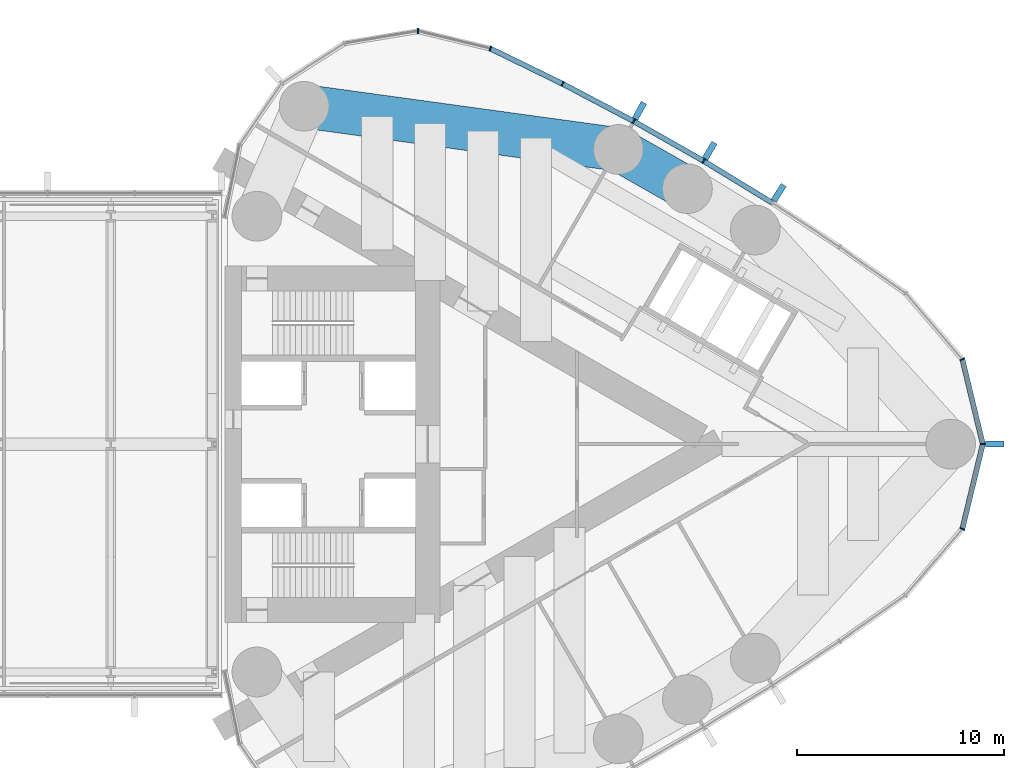
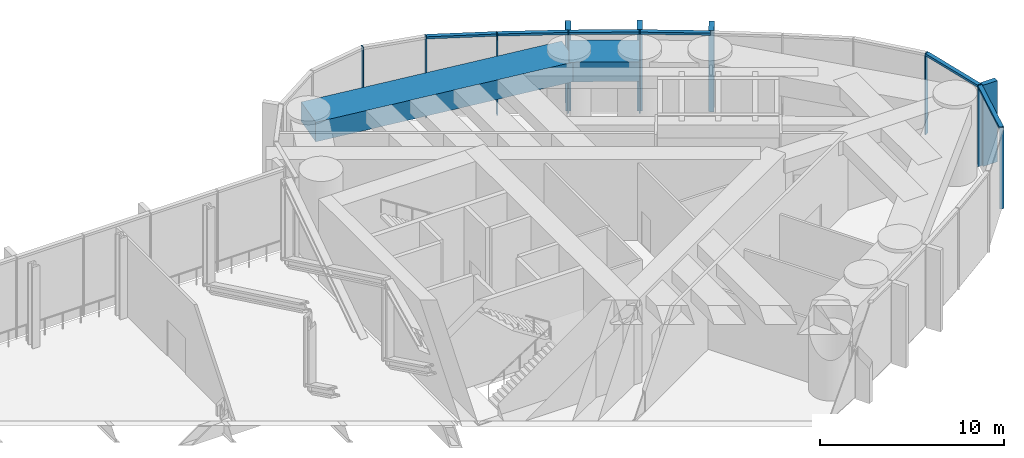
# One storey, part 12 of 21: 18 members, 2 beams, 1 element without a shape of its own.
"""IFC4 building model written with IfcOpenShell, lengths in metres."""

import ifcopenshell
import ifcopenshell.guid

model = None  # the IFC model being written
_history = None  # IfcOwnerHistory: only IFC2X3 demands one
_inside = {}  # id of a spatial element -> (the spatial element, [elements in it])
_under = {}  # id of a project, library or spatial element -> (it, [spatial elements below it])
_declared = {}  # id of a project -> (the project, [libraries it declares])
_typed = {}  # id of a type object -> (the type object, [elements of that type])
_made_of = {}  # id of a material, layer set ... -> (it, [elements and type objects made of it])


def new_model(schema):
    """Start an empty IFC model of exactly this schema.

    Asked for "IFC4X3", IfcOpenShell would pick the latest addendum, in which some entities
    have other attributes; the version numbers below select the first issue.
    IFC2X3 requires an IfcOwnerHistory on every rooted entity: one is made here for all.
    """
    global model, _history
    if schema == "IFC4X3":
        model = ifcopenshell.file(schema_version=(4, 3, 0, 0))
    else:
        model = ifcopenshell.file(schema=schema)
    _inside.clear()
    _under.clear()
    _declared.clear()
    _typed.clear()
    _made_of.clear()
    _history = None
    if model.schema == "IFC2X3":
        org = make("IfcOrganization", Name="unknown")
        user = make(
            "IfcPersonAndOrganization",
            ThePerson=make("IfcPerson", FamilyName="unknown"),
            TheOrganization=org,
        )
        app = make(
            "IfcApplication",
            ApplicationDeveloper=org,
            Version="unknown",
            ApplicationFullName="unknown",
            ApplicationIdentifier="unknown",
        )
        _history = make(
            "IfcOwnerHistory",
            OwningUser=user,
            OwningApplication=app,
            ChangeAction="ADDED",
            CreationDate=0,
        )
    return model


def make(cls, **values):
    """One entity of the class cls with the attributes given. An attribute that is None is left unset."""
    return model.create_entity(
        cls, **{name: value for name, value in values.items() if value is not None}
    )


def rooted(cls, **values):
    """An entity with a GlobalId (a new one), such as an element, a storey or a relation."""
    return make(cls, GlobalId=ifcopenshell.guid.new(), OwnerHistory=_history, **values)


def si_unit(unit_type, name, prefix=None):
    """IfcSIUnit, for example si_unit("LENGTHUNIT", "METRE", prefix="MILLI")."""
    return make("IfcSIUnit", UnitType=unit_type, Prefix=prefix, Name=name)


def assignment(units):
    """IfcUnitAssignment: the units of a project."""
    return None if units is None else make("IfcUnitAssignment", Units=units)


def point(xyz):
    """IfcCartesianPoint."""
    return None if xyz is None else make("IfcCartesianPoint", Coordinates=xyz)


def direction(xyz):
    """IfcDirection."""
    return None if xyz is None else make("IfcDirection", DirectionRatios=xyz)


def frame(location, z_axis=None, x_axis=None):
    """IfcAxis2Placement3D, a coordinate frame: its origin and axes. An axis left out is left unset."""
    return make(
        "IfcAxis2Placement3D",
        Location=point(location),
        Axis=direction(z_axis),
        RefDirection=direction(x_axis),
    )


def frame_2d(location, x_axis=None):
    """IfcAxis2Placement2D, a coordinate frame in the plane: its origin and x axis."""
    return make(
        "IfcAxis2Placement2D", Location=point(location), RefDirection=direction(x_axis)
    )


def origin():
    """The frame at (0, 0, 0) with its axes left unset."""
    return frame((0.0, 0.0, 0.0))


def origin_2d():
    """The frame at (0, 0) in the plane with its x axis left unset."""
    return frame_2d((0.0, 0.0))


def place(relative_to, where):
    """IfcLocalPlacement: puts the frame where relative to a parent placement (None: the world)."""
    return make(
        "IfcLocalPlacement", PlacementRelTo=relative_to, RelativePlacement=where
    )


def context(
    kind, dimensions, precision=None, world=None, true_north=None, identifier=None
):
    """IfcGeometricRepresentationContext, for example the 3D "Model" context."""
    return make(
        "IfcGeometricRepresentationContext",
        ContextIdentifier=identifier,
        ContextType=kind,
        CoordinateSpaceDimension=dimensions,
        Precision=precision,
        WorldCoordinateSystem=world,
        TrueNorth=true_north,
    )


def subcontext(parent, identifier, kind, view, scale=None):
    """IfcGeometricRepresentationSubContext, for example "Body" below "Model"."""
    return make(
        "IfcGeometricRepresentationSubContext",
        ContextIdentifier=identifier,
        ContextType=kind,
        ParentContext=parent,
        TargetScale=scale,
        TargetView=view,
    )


def project(units=None, contexts=None):
    """IfcProject with its units and contexts."""
    return rooted(
        "IfcProject",
        Name="project",
        RepresentationContexts=contexts,
        UnitsInContext=assignment(units),
    )


def spatial(cls, under=None, at=None, **own):
    """A site, building, storey or space (cls), placed at a placement, below another one or the project."""
    s = rooted(cls, ObjectPlacement=at, **own)
    if under is not None:
        _under.setdefault(under.id(), (under, []))[1].append(s)
    return s


def profile(cls, at=None, kind="AREA", **sizes):
    """A parametric profile (cls). Its sizes go by their IFC names, for example OverallWidth=200.0."""
    return make(cls, ProfileType=kind, Position=at, **sizes)


def rectangle(**sizes):
    """IfcRectangleProfileDef."""
    return profile("IfcRectangleProfileDef", **sizes)


def extrude(swept, where, along, depth):
    """IfcExtrudedAreaSolid: the profile swept, set in the frame where, extruded along a direction by depth."""
    return make(
        "IfcExtrudedAreaSolid",
        SweptArea=swept,
        Position=where,
        ExtrudedDirection=direction(along),
        Depth=depth,
    )


def shape(context_of_items, identifier, shape_type, items):
    """IfcShapeRepresentation: the items that make up one representation, for example the "Body"."""
    return make(
        "IfcShapeRepresentation",
        ContextOfItems=context_of_items,
        RepresentationIdentifier=identifier,
        RepresentationType=shape_type,
        Items=items,
    )


def material(Name=None, Category=None):
    """IfcMaterial."""
    return make("IfcMaterial", Name=Name, Category=Category)


def material_profile(
    of_material, cross_section, Name=None, Category=None, Priority=None
):
    """IfcMaterialProfile: a cross section and its material."""
    return make(
        "IfcMaterialProfile",
        Name=Name,
        Material=of_material,
        Profile=cross_section,
        Priority=Priority,
        Category=Category,
    )


def profile_set(profiles, Name=None, composite=None):
    """IfcMaterialProfileSet."""
    return make(
        "IfcMaterialProfileSet",
        Name=Name,
        MaterialProfiles=profiles,
        CompositeProfile=composite,
    )


def made_of(thing, what):
    """Note that an element or type object is made of a material, layer set ...; save() writes the relation."""
    if what is not None:
        _made_of.setdefault(what.id(), (what, []))[1].append(thing)
    return thing


def type_object(cls, material=None, **own):
    """A type object (cls), such as IfcWallType, which elements share."""
    return made_of(rooted(cls, **own), material)


def element(
    cls,
    number,
    at=None,
    inside=None,
    cuts=None,
    type_object=None,
    material=None,
    context=None,
    identifier="Body",
    shape_type=None,
    held_by="IfcProductDefinitionShape",
    body=None,
    shapes=None,
    **own,
):
    """One element of the class cls, such as IfcWall. Its Tag is "e" and its number.

    at: its placement. inside: the storey or other place that contains it. cuts: it is an
    opening in that element (IfcRelVoidsElement). A single representation is given by context,
    identifier, shape_type and body (its items); several are given by shapes. held_by: the class
    of the entity that holds the representations. save() writes the other relations.
    """
    e = rooted(cls, Tag="e%d" % number, ObjectPlacement=at, **own)
    if body is not None:
        shapes = [shape(context, identifier, shape_type, body)]
    if shapes is not None:
        e.Representation = make(held_by, Representations=shapes)
    if inside is not None:
        _inside.setdefault(inside.id(), (inside, []))[1].append(e)
    if cuts is not None:
        rooted(
            "IfcRelVoidsElement", RelatingBuildingElement=cuts, RelatedOpeningElement=e
        )
    if type_object is not None:
        _typed.setdefault(type_object.id(), (type_object, []))[1].append(e)
    return made_of(e, material)


def aggregate(whole, parts):
    """IfcRelAggregates: a whole, such as a stair, and the parts it consists of."""
    return rooted("IfcRelAggregates", RelatingObject=whole, RelatedObjects=parts)


def save(model, path):
    """Write the relations noted so far, then the file.

    IfcRelAggregates (storeys below a building ...), IfcRelContainedInSpatialStructure (elements
    in a storey), IfcRelDefinesByType, IfcRelAssociatesMaterial and IfcRelDeclares: one each for
    every whole, place, type object, material and project.
    """
    for whole, parts in _under.values():
        aggregate(whole, parts)
    for where, things in _inside.values():
        rooted(
            "IfcRelContainedInSpatialStructure",
            RelatedElements=things,
            RelatingStructure=where,
        )
    for kind, things in _typed.values():
        rooted("IfcRelDefinesByType", RelatedObjects=things, RelatingType=kind)
    for what, things in _made_of.values():
        rooted("IfcRelAssociatesMaterial", RelatedObjects=things, RelatingMaterial=what)
    for by, libraries in _declared.values():
        rooted("IfcRelDeclares", RelatingContext=by, RelatedDefinitions=libraries)
    model.write(path)


model = new_model("IFC4")

# Units and contexts
model_context = context("Model", 3, precision=1e-05, world=origin(), true_north=direction((0.0, 1.0)))
body_context = subcontext(model_context, "Body", "Model", "MODEL_VIEW")
ifc_project = project(units=[si_unit("LENGTHUNIT", "METRE"), si_unit("AREAUNIT", "SQUARE_METRE"), si_unit("VOLUMEUNIT", "CUBIC_METRE"), si_unit("PLANEANGLEUNIT", "RADIAN"), si_unit("MASSUNIT", "GRAM", prefix="KILO")], contexts=[model_context])

# Site, building, storey
site_placement = place(None, origin())
site = spatial("IfcSite", under=ifc_project, at=site_placement, CompositionType="ELEMENT")
building_placement = place(site_placement, origin())
building = spatial("IfcBuilding", under=site, at=building_placement, Name="Lancet Gate Hotel", CompositionType="ELEMENT")
storey_placement = place(building_placement, frame((0.0, 0.0, 251.89990234375)))
storey = spatial("IfcBuildingStorey", under=building, at=storey_placement, Name="L67", CompositionType="ELEMENT", Elevation=251.89990234375)

# Curtain wall, members
ifc_material_1 = material(Name="Aluminium curtain wall", Category="aluminium")
curtain_wall_type = type_object("IfcCurtainWallType", Name="Sky deck full-height glazing", PredefinedType="USERDEFINED", material=ifc_material_1)
curtain_wall_placement = place(storey_placement, origin())
curtain_wall = element("IfcCurtainWall", 1, at=curtain_wall_placement, inside=storey, type_object=curtain_wall_type, Name="T2 L67 curtain wall 1", ObjectType="UNITISED CURTAIN WALL", PredefinedType="USERDEFINED")
ifc_material_2 = material(Name="Aluminium mullion", Category="aluminium")
ifc_material_profile_1 = material_profile(ifc_material_2, rectangle(XDim=0.06494140625, YDim=0.25, at=origin_2d()), Name="MULLION 65x250")
ifc_profile_set_1 = profile_set([ifc_material_profile_1], Name="Aluminium mullion")
member_type_1 = type_object("IfcMemberType", Name="Aluminium mullion 65x250", PredefinedType="MULLION", material=ifc_profile_set_1)
member_1_placement = place(storey_placement, frame((63.1064453125, -4.09375, 0.0), z_axis=(0.0, 0.0, 1.0), x_axis=(0.454852851296, 0.890566608215, 0.0)))
member_1 = element("IfcMember", 2, at=member_1_placement, type_object=member_type_1, Name="T2 L67 curtain wall 1 mullion 13", PredefinedType="MULLION", context=body_context, shape_type="SweptSolid", body=[
    extrude(rectangle(XDim=0.06494140625, YDim=0.25, at=origin_2d()), origin(), (0.0, 0.0, 1.0), 5.400146484375),
])
member_2_placement = place(storey_placement, frame((64.09130859375, 0.0, 0.0), z_axis=(0.0, 0.0, 1.0), x_axis=(0.0, 1.0, 0.0)))
member_2 = element("IfcMember", 3, at=member_2_placement, type_object=member_type_1, Name="T2 L67 curtain wall 1 mullion 14", PredefinedType="MULLION", context=body_context, shape_type="SweptSolid", body=[
    extrude(rectangle(XDim=0.06494140625, YDim=0.25, at=origin_2d()), origin(), (0.0, 0.0, 1.0), 5.400146484375),
])
member_3_placement = place(storey_placement, frame((63.1064453125, 4.09375, 0.0), z_axis=(0.0, 0.0, 1.0), x_axis=(-0.454852851296, 0.890566608215, 0.0)))
member_3 = element("IfcMember", 4, at=member_3_placement, type_object=member_type_1, Name="T2 L67 curtain wall 1 mullion 15", PredefinedType="MULLION", context=body_context, shape_type="SweptSolid", body=[
    extrude(rectangle(XDim=0.06494140625, YDim=0.25, at=origin_2d()), origin(), (0.0, 0.0, 1.0), 5.400146484375),
])
member_4_placement = place(storey_placement, frame((50.62060546875, 13.667236328125, 0.0), z_axis=(0.0, 0.0, 1.0), x_axis=(-0.861691755738, 0.507432082247, 0.0)))
member_4 = element("IfcMember", 5, at=member_4_placement, type_object=member_type_1, Name="T2 L67 curtain wall 1 mullion 19", PredefinedType="MULLION", context=body_context, shape_type="SweptSolid", body=[
    extrude(rectangle(XDim=0.06494140625, YDim=0.25, at=origin_2d()), origin(), (0.0, 0.0, 1.0), 5.400146484375),
])
member_5_placement = place(storey_placement, frame((47.24365234375, 15.585205078125, 0.0), z_axis=(0.0, 0.0, 1.0), x_axis=(-0.877194589488, 0.480135035352, 0.0)))
member_5 = element("IfcMember", 6, at=member_5_placement, type_object=member_type_1, Name="T2 L67 curtain wall 1 mullion 20", PredefinedType="MULLION", context=body_context, shape_type="SweptSolid", body=[
    extrude(rectangle(XDim=0.06494140625, YDim=0.25, at=origin_2d()), origin(), (0.0, 0.0, 1.0), 5.400146484375),
])
member_6_placement = place(storey_placement, frame((43.80810546875, 17.396240234375, 0.0), z_axis=(0.0, 0.0, 1.0), x_axis=(-0.891832977257, 0.452364831389, 0.0)))
member_6 = element("IfcMember", 7, at=member_6_placement, type_object=member_type_1, Name="T2 L67 curtain wall 1 mullion 21", PredefinedType="MULLION", context=body_context, shape_type="SweptSolid", body=[
    extrude(rectangle(XDim=0.06494140625, YDim=0.25, at=origin_2d()), origin(), (0.0, 0.0, 1.0), 5.400146484375),
])
member_7_placement = place(storey_placement, frame((40.3173828125, 19.098388671875, 0.0), z_axis=(0.0, 0.0, 1.0), x_axis=(-0.939483740419, 0.342593493061, 0.0)))
member_7 = element("IfcMember", 8, at=member_7_placement, type_object=member_type_1, Name="T2 L67 curtain wall 1 mullion 22", PredefinedType="MULLION", context=body_context, shape_type="SweptSolid", body=[
    extrude(rectangle(XDim=0.06494140625, YDim=0.25, at=origin_2d()), origin(), (0.0, 0.0, 1.0), 5.400146484375),
])
member_8_placement = place(storey_placement, frame((36.826171875, 19.942138671875, 0.0), z_axis=(0.0, 0.0, 1.0), x_axis=(-0.999342744911, 0.03625021647, 0.0)))
member_8 = element("IfcMember", 9, at=member_8_placement, type_object=member_type_1, Name="T2 L67 curtain wall 1 mullion 23", PredefinedType="MULLION", context=body_context, shape_type="SweptSolid", body=[
    extrude(rectangle(XDim=0.06494140625, YDim=0.25, at=origin_2d()), origin(), (0.0, 0.0, 1.0), 5.400146484375),
])
ifc_material_3 = material(Name="Aluminium transom", Category="aluminium")
ifc_material_profile_2 = material_profile(ifc_material_3, rectangle(XDim=0.25, YDim=0.14990234375, at=origin_2d()), Name="TRANSOM 250x150")
ifc_profile_set_2 = profile_set([ifc_material_profile_2], Name="Aluminium transom")
member_type_2 = type_object("IfcMemberType", Name="Aluminium transom 250x150", PredefinedType="USERDEFINED", material=ifc_profile_set_2)
member_9_placement = place(storey_placement, frame((63.114013671875, -4.06201171875, 5.3251953125), z_axis=(0.233920855872, 0.972255641891, 0.0), x_axis=(-0.972255641891, 0.233920855872, 0.0)))
member_9 = element("IfcMember", 10, at=member_9_placement, type_object=member_type_2, Name="T2 L67 curtain wall 1 transom 13", ObjectType="TRANSOM", PredefinedType="USERDEFINED", context=body_context, shape_type="SweptSolid", body=[
    extrude(rectangle(XDim=0.25, YDim=0.14990234375, at=origin_2d()), origin(), (0.0, 0.0, 1.0), 4.1455078125),
])
member_10_placement = place(storey_placement, frame((64.083740234375, 0.031494140625, 5.3251953125), z_axis=(-0.233920855872, 0.972255641891, 0.0), x_axis=(-0.972255641891, -0.233920855872, 0.0)))
member_10 = element("IfcMember", 11, at=member_10_placement, type_object=member_type_2, Name="T2 L67 curtain wall 1 transom 14", ObjectType="TRANSOM", PredefinedType="USERDEFINED", context=body_context, shape_type="SweptSolid", body=[
    extrude(rectangle(XDim=0.25, YDim=0.14990234375, at=origin_2d()), origin(), (0.0, 0.0, 1.0), 4.1455078125),
])
member_11_placement = place(storey_placement, frame((53.907958984375, 11.661376953125, 5.3251953125), z_axis=(-0.853638798527, 0.520865435261, 0.0), x_axis=(-0.520865435261, -0.853638798527, 0.0)))
member_11 = element("IfcMember", 12, at=member_11_placement, type_object=member_type_2, Name="T2 L67 curtain wall 1 transom 18", ObjectType="TRANSOM", PredefinedType="USERDEFINED", context=body_context, shape_type="SweptSolid", body=[
    extrude(rectangle(XDim=0.25, YDim=0.14990234375, at=origin_2d()), origin(), (0.0, 0.0, 1.0), 3.818603515625),
])
member_12_placement = place(storey_placement, frame((50.59228515625, 13.683349609375, 5.3251953125), z_axis=(-0.869562011924, 0.493823761496, 0.0), x_axis=(-0.493823761496, -0.869562011924, 0.0)))
member_12 = element("IfcMember", 13, at=member_12_placement, type_object=member_type_2, Name="T2 L67 curtain wall 1 transom 19", ObjectType="TRANSOM", PredefinedType="USERDEFINED", context=body_context, shape_type="SweptSolid", body=[
    extrude(rectangle(XDim=0.25, YDim=0.14990234375, at=origin_2d()), origin(), (0.0, 0.0, 1.0), 3.818603515625),
])
member_13_placement = place(storey_placement, frame((47.21484375, 15.600341796875, 5.3251953125), z_axis=(-0.884618491031, 0.466315478325, 0.0), x_axis=(-0.466315478325, -0.884618491031, 0.0)))
member_13 = element("IfcMember", 14, at=member_13_placement, type_object=member_type_2, Name="T2 L67 curtain wall 1 transom 20", ObjectType="TRANSOM", PredefinedType="USERDEFINED", context=body_context, shape_type="SweptSolid", body=[
    extrude(rectangle(XDim=0.25, YDim=0.14990234375, at=origin_2d()), origin(), (0.0, 0.0, 1.0), 3.81884765625),
])
member_14_placement = place(storey_placement, frame((43.77880859375, 17.410400390625, 5.3251953125), z_axis=(-0.898820051991, 0.438317823206, 0.0), x_axis=(-0.438317823206, -0.898820051991, 0.0)))
member_14 = element("IfcMember", 15, at=member_14_placement, type_object=member_type_2, Name="T2 L67 curtain wall 1 transom 21", ObjectType="TRANSOM", PredefinedType="USERDEFINED", context=body_context, shape_type="SweptSolid", body=[
    extrude(rectangle(XDim=0.25, YDim=0.14990234375, at=origin_2d()), origin(), (0.0, 0.0, 1.0), 3.81884765625),
])

# Beams
ifc_material_4 = material(Name="Concrete C50/60", Category="concrete")
ifc_material_profile_3 = material_profile(ifc_material_4, rectangle(XDim=2.10009765625, YDim=1.300048828125, at=origin_2d()), Name="RC 2100x1300")
ifc_profile_set_3 = profile_set([ifc_material_profile_3], Name="Concrete C50/60")
beam_type = type_object("IfcBeamType", Name="Edge beam RC 2100x1300", PredefinedType="SPANDREL", material=ifc_profile_set_3)
beam_1_placement = place(storey_placement, frame((49.833984375, 12.331787109375, 4.5), z_axis=(-0.869560321562, 0.493826738001, 0.0), x_axis=(-0.493826738001, -0.869560321562, 0.0)))
element("IfcBeam", 16, at=beam_1_placement, inside=storey, type_object=beam_type, Name="T2 edge beam EB1 L67", PredefinedType="SPANDREL", context=body_context, shape_type="SweptSolid", body=[
    extrude(rectangle(XDim=2.10009765625, YDim=1.300048828125, at=origin_2d()), origin(), (0.0, 0.0, 1.0), 3.8349609375),
])
beam_2_placement = place(storey_placement, frame((46.499267578125, 14.2255859375, 4.5), z_axis=(-0.990685830783, 0.13616748762, 0.0), x_axis=(-0.13616748762, -0.990685830783, 0.0)))
element("IfcBeam", 17, at=beam_2_placement, inside=storey, type_object=beam_type, Name="T2 edge beam EB1 L67", PredefinedType="SPANDREL", context=body_context, shape_type="SweptSolid", body=[
    extrude(rectangle(XDim=2.10009765625, YDim=1.300048828125, at=origin_2d()), origin(), (0.0, 0.0, 1.0), 15.3134765625),
])

# Member
ifc_material_5 = material(Name="Precast concrete C50/60", Category="concrete")
ifc_material_profile_4 = material_profile(ifc_material_5, rectangle(XDim=0.300048828125, YDim=0.89990234375, at=origin_2d()), Name="FIN 300x900")
ifc_profile_set_4 = profile_set([ifc_material_profile_4], Name="Precast concrete C50/60")
member_type_3 = type_object("IfcMemberType", Name="Exposed concrete fin 300x900", PredefinedType="USERDEFINED", material=ifc_profile_set_4)
member_15_placement = place(storey_placement, frame((64.66650390625, 0.0, 0.0), z_axis=(0.0, 0.0, 1.0), x_axis=(0.0, 1.0, 0.0)))
member_15 = element("IfcMember", 18, at=member_15_placement, type_object=member_type_3, Name="T2 L67 curtain wall 1 fin 14", ObjectType="FIN", PredefinedType="USERDEFINED", context=body_context, shape_type="SweptSolid", body=[
    extrude(rectangle(XDim=0.300048828125, YDim=0.89990234375, at=origin_2d()), origin(), (0.0, 0.0, 1.0), 5.400146484375),
])

member_16_placement = place(storey_placement, frame((54.242919921875, 12.13037109375, 0.0), z_axis=(0.0, 0.0, 1.0), x_axis=(-0.845339753513, 0.534229071777, 0.0)))
member_16 = element("IfcMember", 19, at=member_16_placement, type_object=member_type_3, Name="T2 L67 curtain wall 1 fin 18", ObjectType="FIN", PredefinedType="USERDEFINED", context=body_context, shape_type="SweptSolid", body=[
    extrude(rectangle(XDim=0.300048828125, YDim=0.89990234375, at=origin_2d()), origin(), (0.0, 0.0, 1.0), 5.400146484375),
])

member_17_placement = place(storey_placement, frame((50.912353515625, 14.162841796875, 0.0), z_axis=(0.0, 0.0, 1.0), x_axis=(-0.861691755738, 0.507432082247, 0.0)))
member_17 = element("IfcMember", 20, at=member_17_placement, type_object=member_type_3, Name="T2 L67 curtain wall 1 fin 19", ObjectType="FIN", PredefinedType="USERDEFINED", context=body_context, shape_type="SweptSolid", body=[
    extrude(rectangle(XDim=0.300048828125, YDim=0.89990234375, at=origin_2d()), origin(), (0.0, 0.0, 1.0), 5.400146484375),
])

member_18_placement = place(storey_placement, frame((47.51953125, 16.089599609375, 0.0), z_axis=(0.0, 0.0, 1.0), x_axis=(-0.877194589488, 0.480135035352, 0.0)))
member_18 = element("IfcMember", 21, at=member_18_placement, type_object=member_type_3, Name="T2 L67 curtain wall 1 fin 20", ObjectType="FIN", PredefinedType="USERDEFINED", context=body_context, shape_type="SweptSolid", body=[
    extrude(rectangle(XDim=0.300048828125, YDim=0.89990234375, at=origin_2d()), origin(), (0.0, 0.0, 1.0), 5.400146484375),
])

aggregate(curtain_wall, [member_1, member_2, member_15, member_3, member_16, member_4, member_17, member_5, member_18, member_6, member_7, member_8, member_9, member_10, member_11, member_12, member_13, member_14])

save(model, "model.ifc")
